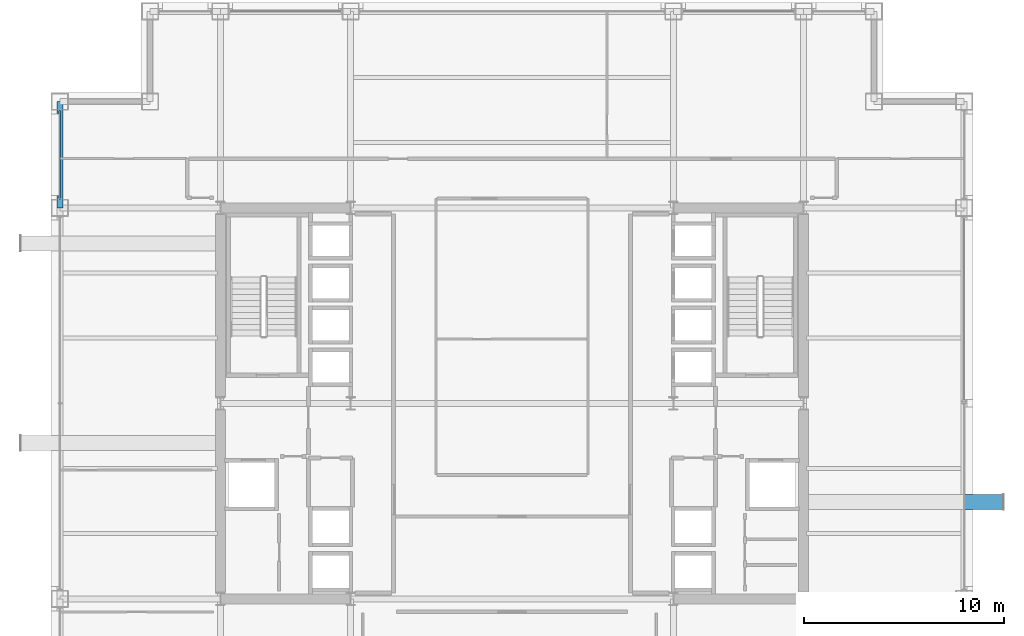
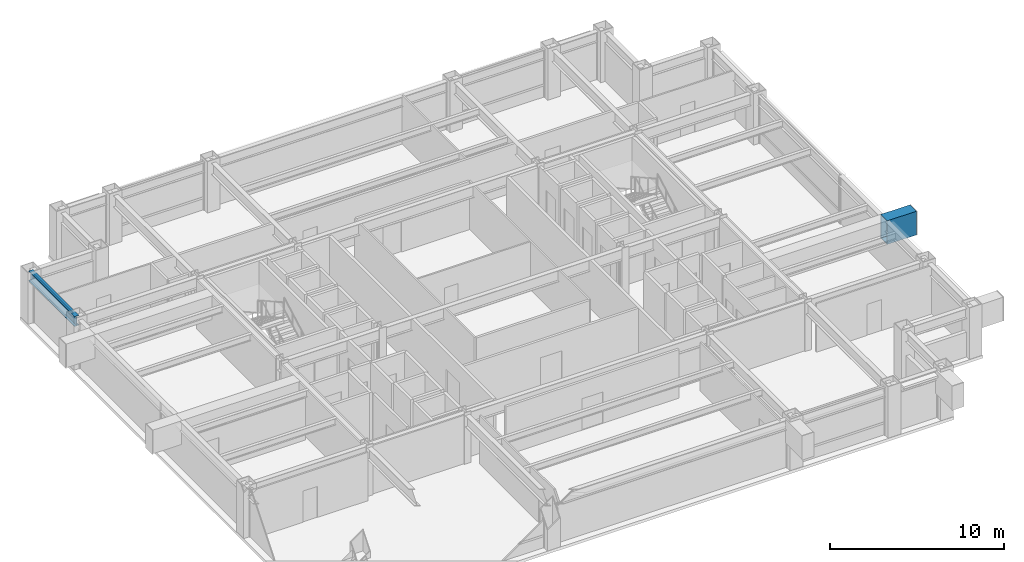
# One storey, part 17 of 28: 2 beams, 1 member, 1 element without a shape of its own.
"""IFC4 building model written with IfcOpenShell, lengths in metres."""

from ifc_helpers import new_model, si_unit, direction, frame, origin, origin_2d, place, context, subcontext, project, spatial, hollow_rectangle, i_section, extrude, material, layer, layer_set, material_profile, profile_set, type_object, element, aggregate, save


model = new_model("IFC4")

# Units and contexts
model_context = context("Model", 3, precision=1e-05, world=origin(), true_north=direction((0.0, 1.0)))
body_context = subcontext(model_context, "Body", "Model", "MODEL_VIEW")
ifc_project = project(units=[si_unit("LENGTHUNIT", "METRE"), si_unit("AREAUNIT", "SQUARE_METRE"), si_unit("VOLUMEUNIT", "CUBIC_METRE"), si_unit("PLANEANGLEUNIT", "RADIAN"), si_unit("MASSUNIT", "GRAM", prefix="KILO")], contexts=[model_context])

# Site, building, storey
site_placement = place(None, origin())
site = spatial("IfcSite", under=ifc_project, at=site_placement, CompositionType="ELEMENT")
building_placement = place(site_placement, origin())
building = spatial("IfcBuilding", under=site, at=building_placement, Name="Brelmoor Portico Tower", CompositionType="ELEMENT")
storey_placement = place(building_placement, frame((0.0, 0.0, 91.800048828125)))
storey = spatial("IfcBuildingStorey", under=building, at=storey_placement, Name="L23", CompositionType="ELEMENT", Elevation=91.800048828125)

# Beams
ifc_material_1 = material(Name="Steel Q355B", Category="steel")
ifc_material_profile_1 = material_profile(ifc_material_1, hollow_rectangle(XDim=0.75, YDim=1.659912109375, WallThickness=0.0419921875, at=origin_2d()), Name="BOX 750x1660x42")
ifc_profile_set_1 = profile_set([ifc_material_profile_1], Name="Steel Q355B")
beam_type_1 = type_object("IfcBeamType", Name="BM-PF-CANT", PredefinedType="BEAM", material=ifc_profile_set_1)
beam_1_placement = place(storey_placement, frame((22.550048828125, -4.919921875, 2.570068359375), z_axis=(1.0, 0.0, 0.0), x_axis=(0.0, 1.0, 0.0)))
element("IfcBeam", 1, at=beam_1_placement, inside=storey, type_object=beam_type_1, Name="L23 Picture-Frame Outrigger Transfer Cantilever PFB-04", PredefinedType="BEAM", context=body_context, shape_type="SweptSolid", body=[
    extrude(hollow_rectangle(XDim=0.75, YDim=1.659912109375, WallThickness=0.0419921875, at=origin_2d()), origin(), (0.0, 0.0, 1.0), 1.949951171875),
])
ifc_material_profile_2 = material_profile(ifc_material_1, i_section(OverallWidth=0.300048828125, OverallDepth=0.699951171875, WebThickness=0.012939453125, FlangeThickness=0.02392578125, at=origin_2d()), Name="HN 700x300x13x24")
ifc_profile_set_2 = profile_set([ifc_material_profile_2], Name="Steel Q355B")
beam_type_2 = type_object("IfcBeamType", Name="BM-SP-700", PredefinedType="SPANDREL", material=ifc_profile_set_2)
beam_2_placement = place(storey_placement, frame((-22.550048828125, 9.75, 3.050048828125), z_axis=(0.0, 1.0, 0.0), x_axis=(-1.0, 0.0, 0.0)))
element("IfcBeam", 2, at=beam_2_placement, inside=storey, type_object=beam_type_2, Name="L23 Perimeter Spandrel Beam SP-17", PredefinedType="SPANDREL", context=body_context, shape_type="SweptSolid", body=[
    extrude(i_section(OverallWidth=0.300048828125, OverallDepth=0.699951171875, WebThickness=0.012939453125, FlangeThickness=0.02392578125, at=origin_2d()), origin(), (0.0, 0.0, 1.0), 5.300048828125),
])

# Curtain wall, member
ifc_material_2 = material(Name="Anodised Aluminium Alloy 6063-T6", Category="aluminium")
ifc_layer = layer(ifc_material_2, 0.179931640625)
ifc_layer_set = layer_set([ifc_layer], Name="Anodised Aluminium Alloy 6063-T6")
curtain_wall_type = type_object("IfcCurtainWallType", Name="CW-TOWER-Z2-XB", PredefinedType="NOTDEFINED", material=ifc_layer_set)
curtain_wall_placement = place(storey_placement, origin())
curtain_wall = element("IfcCurtainWall", 3, at=curtain_wall_placement, inside=storey, type_object=curtain_wall_type, Name="L23 Curtain Wall CW-L23-03-3", PredefinedType="NOTDEFINED")
ifc_material_profile_3 = material_profile(ifc_material_2, hollow_rectangle(XDim=0.06494140625, YDim=0.139892578125, WallThickness=0.00390625, at=origin_2d()), Name="ALU TRANSOM 65x140")
ifc_profile_set_3 = profile_set([ifc_material_profile_3], Name="Anodised Aluminium Alloy 6063-T6")
member_type = type_object("IfcMemberType", Name="MB-CW-TRAN-140", PredefinedType="USERDEFINED", material=ifc_profile_set_3)
member_placement = place(storey_placement, frame((-22.550048828125, 10.18505859375, 3.329833984375), z_axis=(0.0, 1.0, 0.0), x_axis=(-1.0, 0.0, 0.0)))
member = element("IfcMember", 4, at=member_placement, type_object=member_type, Name="CW-L23-03-3 Transom 1-00", ObjectType="TRANSOM", PredefinedType="USERDEFINED", context=body_context, shape_type="SweptSolid", body=[
    extrude(hollow_rectangle(XDim=0.06494140625, YDim=0.139892578125, WallThickness=0.00390625, at=origin_2d()), origin(), (0.0, 0.0, 1.0), 4.429931640625),
])
aggregate(curtain_wall, [member])

save(model, "model.ifc")
